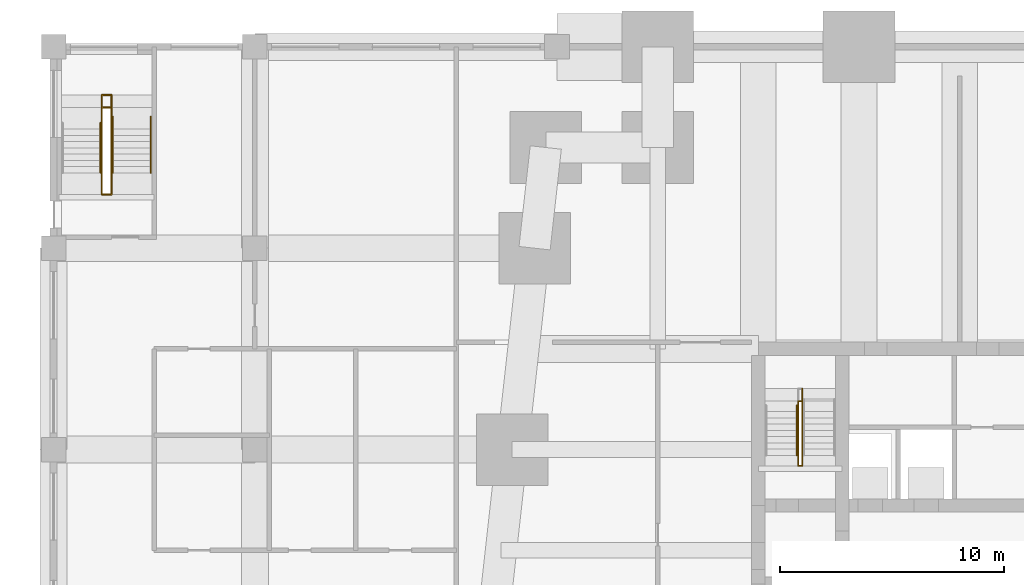
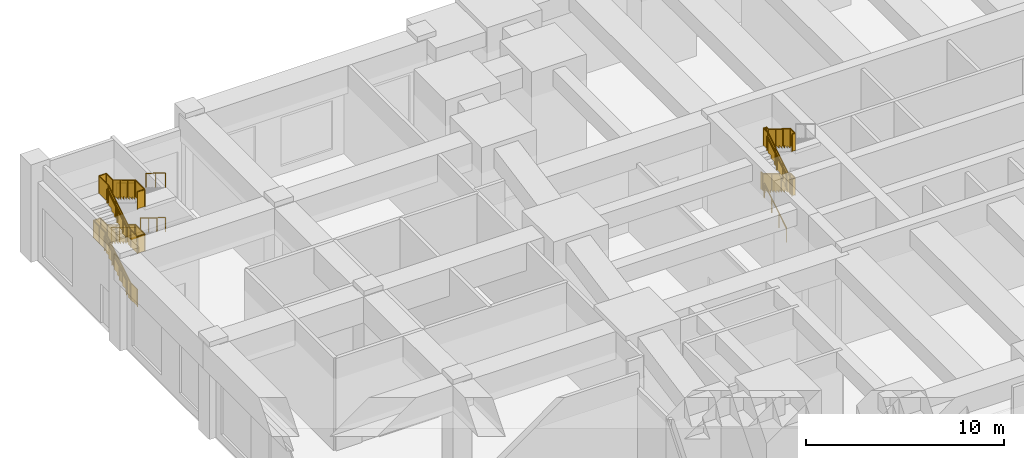
# One storey, part 10 of 13: 15 railings.
"""IFC4 building model written with IfcOpenShell, lengths in metres."""

from ifc_helpers import new_model, si_unit, direction, frame, origin, origin_2d, place, context, subcontext, project, spatial, polyline, circle, outline, extrude, material, type_object, element, save


model = new_model("IFC4")

# Units and contexts
model_context = context("Model", 3, precision=1e-05, world=origin(), true_north=direction((0.0, 1.0)))
body_context = subcontext(model_context, "Body", "Model", "MODEL_VIEW")
ifc_project = project(units=[si_unit("LENGTHUNIT", "METRE"), si_unit("AREAUNIT", "SQUARE_METRE"), si_unit("VOLUMEUNIT", "CUBIC_METRE"), si_unit("PLANEANGLEUNIT", "RADIAN"), si_unit("MASSUNIT", "GRAM", prefix="KILO")], contexts=[model_context])

# Site, building, storey
site_placement = place(None, origin())
site = spatial("IfcSite", under=ifc_project, at=site_placement, CompositionType="ELEMENT")
building_placement = place(site_placement, origin())
building = spatial("IfcBuilding", under=site, at=building_placement, Name="Kilele Tower Hotel", CompositionType="ELEMENT")
storey_placement = place(building_placement, origin())
storey = spatial("IfcBuildingStorey", under=building, at=storey_placement, Name="L00", CompositionType="ELEMENT", Elevation=0.0)

# Railings
ifc_material_1 = material(Name="Steel handrail", Category="steel")
railing_type_1 = type_object("IfcRailingType", Name="Handrail 900", PredefinedType="HANDRAIL", material=ifc_material_1)
railing_1_placement = place(storey_placement, frame((15.22509765625, 22.239990234375, 0.17138671875)))
element("IfcRailing", 1, at=railing_1_placement, inside=storey, type_object=railing_type_1, Name="Handrail ST1 flight 1", PredefinedType="HANDRAIL", context=body_context, shape_type="SweptSolid", body=[
    extrude(circle(Radius=0.02490234375, at=origin_2d()), frame((0.0, 0.0, 0.875), z_axis=(0.0, 0.852824270871, 0.522198011308), x_axis=(-1.0, 0.0, 0.0)), (0.0, 0.0, 1.0), 2.62646484375),
    extrude(circle(Radius=0.02001953125, at=origin_2d()), origin(), (0.0, 0.0, 1.0), 0.849853515625),
    extrude(circle(Radius=0.02001953125, at=origin_2d()), frame((0.0, 0.74658203125, 0.457275390625)), (0.0, 0.0, 1.0), 0.849853515625),
    extrude(circle(Radius=0.02001953125, at=origin_2d()), frame((0.0, 1.493408203125, 0.914306640625)), (0.0, 0.0, 1.0), 0.849853515625),
    extrude(circle(Radius=0.02001953125, at=origin_2d()), frame((0.0, 2.239990234375, 1.37158203125)), (0.0, 0.0, 1.0), 0.849853515625),
])
railing_2_placement = place(storey_placement, frame((15.22509765625, 22.239990234375, 3.428466796875)))
element("IfcRailing", 2, at=railing_2_placement, inside=storey, type_object=railing_type_1, Name="Handrail ST1 flight 3", PredefinedType="HANDRAIL", context=body_context, shape_type="SweptSolid", body=[
    extrude(circle(Radius=0.02490234375, at=origin_2d()), frame((0.0, 0.0, 0.875), z_axis=(0.0, 0.852808822406, 0.522223240029), x_axis=(-1.0, 0.0, 0.0)), (0.0, 0.0, 1.0), 2.29833984375),
    extrude(circle(Radius=0.02001953125, at=origin_2d()), origin(), (0.0, 0.0, 1.0), 0.849853515625),
    extrude(circle(Radius=0.02001953125, at=origin_2d()), frame((0.0, 0.97998046875, 0.60009765625)), (0.0, 0.0, 1.0), 0.849853515625),
    extrude(circle(Radius=0.02001953125, at=origin_2d()), frame((0.0, 1.9599609375, 1.2001953125)), (0.0, 0.0, 1.0), 0.849853515625),
])
railing_3_placement = place(storey_placement, frame((-15.89990234375, 34.864990234375, 0.17138671875)))
element("IfcRailing", 3, at=railing_3_placement, inside=storey, type_object=railing_type_1, Name="Handrail ST3 flight 1", PredefinedType="HANDRAIL", context=body_context, shape_type="SweptSolid", body=[
    extrude(circle(Radius=0.02490234375, at=origin_2d()), frame((0.0, 0.0, 0.875), z_axis=(0.0, 0.852824270871, 0.522198011308), x_axis=(-1.0, 0.0, 0.0)), (0.0, 0.0, 1.0), 2.62646484375),
    extrude(circle(Radius=0.02001953125, at=origin_2d()), origin(), (0.0, 0.0, 1.0), 0.849853515625),
    extrude(circle(Radius=0.02001953125, at=origin_2d()), frame((0.0, 0.74658203125, 0.457275390625)), (0.0, 0.0, 1.0), 0.849853515625),
    extrude(circle(Radius=0.02001953125, at=origin_2d()), frame((0.0, 1.493408203125, 0.914306640625)), (0.0, 0.0, 1.0), 0.849853515625),
    extrude(circle(Radius=0.02001953125, at=origin_2d()), frame((0.0, 2.239990234375, 1.37158203125)), (0.0, 0.0, 1.0), 0.849853515625),
])
for number, where, name in (
    (4, (-15.35009765625, 37.385009765625, 1.71435546875), "Handrail ST3 flight 2"),
    (5, (-13.64990234375, 37.385009765625, 1.71435546875), "Handrail ST3 flight 2"),
):
    element("IfcRailing", number, at=place(storey_placement, frame(where)), inside=storey, type_object=railing_type_1, Name=name, PredefinedType="HANDRAIL", context=body_context, shape_type="SweptSolid", body=[
        extrude(circle(Radius=0.02490234375, at=origin_2d()), frame((0.0, 0.0, 0.875), z_axis=(0.0, -0.852873080145, 0.522118290393), x_axis=(1.0, 0.0, 0.0)), (0.0, 0.0, 1.0), 2.954833984375),
        extrude(circle(Radius=0.02001953125, at=origin_2d()), origin(), (0.0, 0.0, 1.0), 0.849853515625),
        extrude(circle(Radius=0.02001953125, at=origin_2d()), frame((0.0, -0.840087890625, 0.51416015625)), (0.0, 0.0, 1.0), 0.849853515625),
        extrude(circle(Radius=0.02001953125, at=origin_2d()), frame((0.0, -1.679931640625, 1.028564453125)), (0.0, 0.0, 1.0), 0.849853515625),
        extrude(circle(Radius=0.02001953125, at=origin_2d()), frame((0.0, -2.52001953125, 1.542724609375)), (0.0, 0.0, 1.0), 0.849853515625),
    ])
railing_4_placement = place(storey_placement, frame((-15.89990234375, 34.864990234375, 3.428466796875)))
element("IfcRailing", 6, at=railing_4_placement, inside=storey, type_object=railing_type_1, Name="Handrail ST3 flight 3", PredefinedType="HANDRAIL", context=body_context, shape_type="SweptSolid", body=[
    extrude(circle(Radius=0.02490234375, at=origin_2d()), frame((0.0, 0.0, 0.875), z_axis=(0.0, 0.852808822406, 0.522223240029), x_axis=(-1.0, 0.0, 0.0)), (0.0, 0.0, 1.0), 2.29833984375),
    extrude(circle(Radius=0.02001953125, at=origin_2d()), origin(), (0.0, 0.0, 1.0), 0.849853515625),
    extrude(circle(Radius=0.02001953125, at=origin_2d()), frame((0.0, 0.97998046875, 0.60009765625)), (0.0, 0.0, 1.0), 0.849853515625),
    extrude(circle(Radius=0.02001953125, at=origin_2d()), frame((0.0, 1.9599609375, 1.2001953125)), (0.0, 0.0, 1.0), 0.849853515625),
])
for number, where, name in (
    (7, (-15.35009765625, 36.824951171875, 4.800048828125), "Handrail ST3 flight 4"),
    (8, (-13.64990234375, 36.824951171875, 4.800048828125), "Handrail ST3 flight 4"),
):
    element("IfcRailing", number, at=place(storey_placement, frame(where)), inside=storey, type_object=railing_type_1, Name=name, PredefinedType="HANDRAIL", context=body_context, shape_type="SweptSolid", body=[
        extrude(circle(Radius=0.02490234375, at=origin_2d()), frame((0.0, 0.0, 0.875), z_axis=(0.0, -0.852856131449, 0.522145974847), x_axis=(1.0, 0.0, 0.0)), (0.0, 0.0, 1.0), 2.298095703125),
        extrude(circle(Radius=0.02001953125, at=origin_2d()), origin(), (0.0, 0.0, 1.0), 0.849853515625),
        extrude(circle(Radius=0.02001953125, at=origin_2d()), frame((0.0, -0.97998046875, 0.60009765625)), (0.0, 0.0, 1.0), 0.849853515625),
        extrude(circle(Radius=0.02001953125, at=origin_2d()), frame((0.0, -1.9599609375, 1.199951171875)), (0.0, 0.0, 1.0), 0.849853515625),
    ])
ifc_material_2 = material(Name="Steel guard", Category="steel")
railing_type_2 = type_object("IfcRailingType", Name="Stair guard 1100", PredefinedType="GUARDRAIL", material=ifc_material_2)
railing_5_placement = place(storey_placement, frame((15.465087890625, 25.22509765625, 1.54296875)))
element("IfcRailing", 9, at=railing_5_placement, inside=storey, type_object=railing_type_2, Name="Stair well guard ST1 flight 2", PredefinedType="GUARDRAIL", context=body_context, shape_type="SweptSolid", body=[
    extrude(circle(Radius=0.02490234375, at=origin_2d()), frame((0.0, 0.0, 1.0751953125), z_axis=(0.0, -1.0, 0.0), x_axis=(1.0, 0.0, 0.0)), (0.0, 0.0, 1.0), 0.18505859375),
    extrude(circle(Radius=0.02490234375, at=origin_2d()), frame((0.0, -0.18505859375, 1.0751953125), z_axis=(0.0, -0.852879011914, 0.522108600807), x_axis=(1.0, 0.0, 0.0)), (0.0, 0.0, 1.0), 3.282958984375),
    extrude(circle(Radius=0.02490234375, at=origin_2d()), frame((0.0, -2.985107421875, 2.7890625), z_axis=(0.0, -1.0, 0.0), x_axis=(1.0, 0.0, 0.0)), (0.0, 0.0, 1.0), 0.465087890625),
    extrude(circle(Radius=0.02490234375, at=origin_2d()), frame((0.0, -3.4501953125, 2.7890625), z_axis=(-1.0, 0.0, 0.0), x_axis=(0.0, -1.0, 0.0)), (0.0, 0.0, 1.0), 0.18017578125),
    extrude(circle(Radius=0.02490234375, at=origin_2d()), origin(), (0.0, 0.0, 1.0), 1.050048828125),
    extrude(circle(Radius=0.02490234375, at=origin_2d()), frame((0.0, -0.18505859375, 0.0)), (0.0, 0.0, 1.0), 1.050048828125),
    extrude(circle(Radius=0.02490234375, at=origin_2d()), frame((0.0, -1.118408203125, 0.5712890625)), (0.0, 0.0, 1.0), 1.050048828125),
    extrude(circle(Radius=0.02490234375, at=origin_2d()), frame((0.0, -2.0517578125, 1.142822265625)), (0.0, 0.0, 1.0), 1.050048828125),
    extrude(circle(Radius=0.02490234375, at=origin_2d()), frame((0.0, -2.985107421875, 1.714111328125)), (0.0, 0.0, 1.0), 1.050048828125),
    extrude(circle(Radius=0.02490234375, at=origin_2d()), frame((0.0, -3.4501953125, 1.714111328125)), (0.0, 0.0, 1.0), 1.050048828125),
    extrude(circle(Radius=0.02490234375, at=origin_2d()), frame((-0.18017578125, -3.4501953125, 1.714111328125)), (0.0, 0.0, 1.0), 1.050048828125),
    extrude(outline(polyline([(0.0, 0.030029296875), (0.172607421875, 0.030029296875), (0.172607421875, 1.050048828125), (0.0, 1.050048828125), (0.0, 0.030029296875)])), frame((0.005859375, 0.0, 0.0), z_axis=(-1.0, 0.0, 0.0), x_axis=(0.0, -1.0, 0.0)), (0.0, 0.0, 1.0), 0.011962890625),
    extrude(outline(polyline([(0.012451171875, 0.030029296875), (0.25, 0.030029296875), (0.25, 0.201416015625), (0.530029296875, 0.201416015625), (0.530029296875, 0.372802734375), (0.81005859375, 0.372802734375), (0.81005859375, 0.544189453125), (1.090087890625, 0.544189453125), (1.090087890625, 0.715576171875), (1.3701171875, 0.715576171875), (1.3701171875, 0.88720703125), (1.64990234375, 0.88720703125), (1.64990234375, 1.05859375), (1.929931640625, 1.05859375), (1.929931640625, 1.22998046875), (2.2099609375, 1.22998046875), (2.2099609375, 1.4013671875), (2.489990234375, 1.4013671875), (2.489990234375, 1.57275390625), (2.77001953125, 1.57275390625), (2.77001953125, 1.744140625), (2.78759765625, 1.744140625), (2.78759765625, 2.752197265625), (0.012451171875, 1.053466796875), (0.012451171875, 0.030029296875)])), frame((0.005859375, -0.18505859375, 0.0), z_axis=(-1.0, 0.0, 0.0), x_axis=(0.0, -1.0, 0.0)), (0.0, 0.0, 1.0), 0.011962890625),
    extrude(outline(polyline([(0.012451171875, 0.030029296875), (0.45263671875, 0.030029296875), (0.45263671875, 1.050048828125), (0.012451171875, 1.050048828125), (0.012451171875, 0.030029296875)])), frame((0.005859375, -2.985107421875, 1.714111328125), z_axis=(-1.0, 0.0, 0.0), x_axis=(0.0, -1.0, 0.0)), (0.0, 0.0, 1.0), 0.011962890625),
    extrude(outline(polyline([(0.012451171875, 0.030029296875), (0.18017578125, 0.030029296875), (0.18017578125, 1.050048828125), (0.012451171875, 1.050048828125), (0.012451171875, 0.030029296875)])), frame((0.0, -3.4560546875, 1.714111328125), z_axis=(0.0, 1.0, 0.0), x_axis=(-1.0, 0.0, 0.0)), (0.0, 0.0, 1.0), 0.011962890625),
])
railing_6_placement = place(storey_placement, frame((15.284912109375, 21.77490234375, 3.257080078125)))
element("IfcRailing", 10, at=railing_6_placement, inside=storey, type_object=railing_type_2, Name="Stair well guard ST1 flight 3", PredefinedType="GUARDRAIL", context=body_context, shape_type="SweptSolid", body=[
    extrude(circle(Radius=0.02490234375, at=origin_2d()), frame((0.0, 0.0, 1.0751953125), z_axis=(0.0, 1.0, 0.0), x_axis=(-1.0, 0.0, 0.0)), (0.0, 0.0, 1.0), 0.18505859375),
    extrude(circle(Radius=0.02490234375, at=origin_2d()), frame((0.0, 0.18505859375, 1.0751953125), z_axis=(0.0, 0.852824270871, 0.522198011308), x_axis=(-1.0, 0.0, 0.0)), (0.0, 0.0, 1.0), 2.62646484375),
    extrude(circle(Radius=0.02490234375, at=origin_2d()), frame((0.0, 2.425048828125, 2.44677734375), z_axis=(0.0, 1.0, 0.0), x_axis=(-1.0, 0.0, 0.0)), (0.0, 0.0, 1.0), 0.465087890625),
    extrude(circle(Radius=0.02490234375, at=origin_2d()), frame((0.0, 2.89013671875, 2.44677734375), z_axis=(1.0, 0.0, 0.0), x_axis=(0.0, 1.0, 0.0)), (0.0, 0.0, 1.0), 0.18017578125),
    extrude(circle(Radius=0.02490234375, at=origin_2d()), origin(), (0.0, 0.0, 1.0), 1.050048828125),
    extrude(circle(Radius=0.02490234375, at=origin_2d()), frame((0.0, 0.18505859375, 0.0)), (0.0, 0.0, 1.0), 1.050048828125),
    extrude(circle(Radius=0.02490234375, at=origin_2d()), frame((0.0, 0.931640625, 0.457275390625)), (0.0, 0.0, 1.0), 1.050048828125),
    extrude(circle(Radius=0.02490234375, at=origin_2d()), frame((0.0, 1.678466796875, 0.914306640625)), (0.0, 0.0, 1.0), 1.050048828125),
    extrude(circle(Radius=0.02490234375, at=origin_2d()), frame((0.0, 2.425048828125, 1.37158203125)), (0.0, 0.0, 1.0), 1.050048828125),
    extrude(circle(Radius=0.02490234375, at=origin_2d()), frame((0.0, 2.89013671875, 1.37158203125)), (0.0, 0.0, 1.0), 1.050048828125),
    extrude(circle(Radius=0.02490234375, at=origin_2d()), frame((0.18017578125, 2.89013671875, 1.37158203125)), (0.0, 0.0, 1.0), 1.050048828125),
    extrude(outline(polyline([(0.0, 0.030029296875), (0.172607421875, 0.030029296875), (0.172607421875, 1.050048828125), (0.0, 1.050048828125), (0.0, 0.030029296875)])), frame((-0.005859375, 0.0, 0.0), z_axis=(1.0, 0.0, 0.0), x_axis=(0.0, 1.0, 0.0)), (0.0, 0.0, 1.0), 0.011962890625),
    extrude(outline(polyline([(0.012451171875, 0.030029296875), (0.25, 0.030029296875), (0.25, 0.201416015625), (0.530029296875, 0.201416015625), (0.530029296875, 0.373046875), (0.81005859375, 0.373046875), (0.81005859375, 0.54443359375), (1.08984375, 0.54443359375), (1.08984375, 0.7158203125), (1.369873046875, 0.7158203125), (1.369873046875, 0.88720703125), (1.64990234375, 0.88720703125), (1.64990234375, 1.05859375), (1.929931640625, 1.05859375), (1.929931640625, 1.230224609375), (2.2099609375, 1.230224609375), (2.2099609375, 1.401611328125), (2.2275390625, 1.401611328125), (2.2275390625, 2.40966796875), (0.012451171875, 1.053466796875), (0.012451171875, 0.030029296875)])), frame((-0.005859375, 0.18505859375, 0.0), z_axis=(1.0, 0.0, 0.0), x_axis=(0.0, 1.0, 0.0)), (0.0, 0.0, 1.0), 0.011962890625),
    extrude(outline(polyline([(0.012451171875, 0.030029296875), (0.45263671875, 0.030029296875), (0.45263671875, 1.050048828125), (0.012451171875, 1.050048828125), (0.012451171875, 0.030029296875)])), frame((-0.005859375, 2.425048828125, 1.37158203125), z_axis=(1.0, 0.0, 0.0), x_axis=(0.0, 1.0, 0.0)), (0.0, 0.0, 1.0), 0.011962890625),
    extrude(outline(polyline([(0.012451171875, 0.030029296875), (0.18017578125, 0.030029296875), (0.18017578125, 1.050048828125), (0.012451171875, 1.050048828125), (0.012451171875, 0.030029296875)])), frame((0.0, 2.89599609375, 1.37158203125), z_axis=(0.0, -1.0, 0.0), x_axis=(1.0, 0.0, 0.0)), (0.0, 0.0, 1.0), 0.011962890625),
])
railing_7_placement = place(storey_placement, frame((15.465087890625, 24.6650390625, 4.628662109375)))
element("IfcRailing", 11, at=railing_7_placement, inside=storey, type_object=railing_type_2, Name="Stair well guard ST1 flight 4", PredefinedType="GUARDRAIL", context=body_context, shape_type="SweptSolid", body=[
    extrude(circle(Radius=0.02490234375, at=origin_2d()), frame((0.0, 0.0, 1.0751953125), z_axis=(0.0, -1.0, 0.0), x_axis=(1.0, 0.0, 0.0)), (0.0, 0.0, 1.0), 0.18505859375),
    extrude(circle(Radius=0.02490234375, at=origin_2d()), frame((0.0, -0.18505859375, 1.0751953125), z_axis=(0.0, -0.852865665234, 0.522130402356), x_axis=(1.0, 0.0, 0.0)), (0.0, 0.0, 1.0), 2.62646484375),
    extrude(circle(Radius=0.02490234375, at=origin_2d()), frame((0.0, -2.425048828125, 2.4462890625), z_axis=(0.0, -1.0, 0.0), x_axis=(1.0, 0.0, 0.0)), (0.0, 0.0, 1.0), 0.465087890625),
    extrude(circle(Radius=0.02490234375, at=origin_2d()), frame((0.0, -2.89013671875, 2.4462890625), z_axis=(-1.0, 0.0, 0.0), x_axis=(0.0, -1.0, 0.0)), (0.0, 0.0, 1.0), 0.18017578125),
    extrude(circle(Radius=0.02490234375, at=origin_2d()), origin(), (0.0, 0.0, 1.0), 1.050048828125),
    extrude(circle(Radius=0.02490234375, at=origin_2d()), frame((0.0, -0.18505859375, 0.0)), (0.0, 0.0, 1.0), 1.050048828125),
    extrude(circle(Radius=0.02490234375, at=origin_2d()), frame((0.0, -0.931640625, 0.45703125)), (0.0, 0.0, 1.0), 1.050048828125),
    extrude(circle(Radius=0.02490234375, at=origin_2d()), frame((0.0, -1.678466796875, 0.914306640625)), (0.0, 0.0, 1.0), 1.050048828125),
    extrude(circle(Radius=0.02490234375, at=origin_2d()), frame((0.0, -2.425048828125, 1.371337890625)), (0.0, 0.0, 1.0), 1.050048828125),
    extrude(circle(Radius=0.02490234375, at=origin_2d()), frame((0.0, -2.89013671875, 1.371337890625)), (0.0, 0.0, 1.0), 1.050048828125),
    extrude(circle(Radius=0.02490234375, at=origin_2d()), frame((-0.18017578125, -2.89013671875, 1.371337890625)), (0.0, 0.0, 1.0), 1.050048828125),
    extrude(outline(polyline([(0.0, 0.030029296875), (0.172607421875, 0.030029296875), (0.172607421875, 1.050048828125), (0.0, 1.050048828125), (0.0, 0.030029296875)])), frame((0.005859375, 0.0, 0.0), z_axis=(-1.0, 0.0, 0.0), x_axis=(0.0, -1.0, 0.0)), (0.0, 0.0, 1.0), 0.011962890625),
    extrude(outline(polyline([(0.012451171875, 0.030029296875), (0.25, 0.030029296875), (0.25, 0.201416015625), (0.530029296875, 0.201416015625), (0.530029296875, 0.372802734375), (0.81005859375, 0.372802734375), (0.81005859375, 0.544189453125), (1.08984375, 0.544189453125), (1.08984375, 0.7158203125), (1.369873046875, 0.7158203125), (1.369873046875, 0.88720703125), (1.64990234375, 0.88720703125), (1.64990234375, 1.05859375), (1.929931640625, 1.05859375), (1.929931640625, 1.22998046875), (2.2099609375, 1.22998046875), (2.2099609375, 1.4013671875), (2.2275390625, 1.4013671875), (2.2275390625, 2.409423828125), (0.012451171875, 1.053466796875), (0.012451171875, 0.030029296875)])), frame((0.005859375, -0.18505859375, 0.0), z_axis=(-1.0, 0.0, 0.0), x_axis=(0.0, -1.0, 0.0)), (0.0, 0.0, 1.0), 0.011962890625),
    extrude(outline(polyline([(0.012451171875, 0.030029296875), (0.45263671875, 0.030029296875), (0.45263671875, 1.050048828125), (0.012451171875, 1.050048828125), (0.012451171875, 0.030029296875)])), frame((0.005859375, -2.425048828125, 1.371337890625), z_axis=(-1.0, 0.0, 0.0), x_axis=(0.0, -1.0, 0.0)), (0.0, 0.0, 1.0), 0.011962890625),
    extrude(outline(polyline([(0.012451171875, 0.030029296875), (0.18017578125, 0.030029296875), (0.18017578125, 1.050048828125), (0.012451171875, 1.050048828125), (0.012451171875, 0.030029296875)])), frame((0.0, -2.89599609375, 1.371337890625), z_axis=(0.0, 1.0, 0.0), x_axis=(-1.0, 0.0, 0.0)), (0.0, 0.0, 1.0), 0.011962890625),
])
railing_8_placement = place(storey_placement, frame((-15.840087890625, 33.89990234375, 0.0)))
element("IfcRailing", 12, at=railing_8_placement, inside=storey, type_object=railing_type_2, Name="Stair well guard ST3 flight 1", PredefinedType="GUARDRAIL", context=body_context, shape_type="SweptSolid", body=[
    extrude(circle(Radius=0.02490234375, at=origin_2d()), frame((0.0, 0.0, 1.0751953125), z_axis=(0.0, 1.0, 0.0), x_axis=(-1.0, 0.0, 0.0)), (0.0, 0.0, 1.0), 0.68505859375),
    extrude(circle(Radius=0.02490234375, at=origin_2d()), frame((0.0, 0.68505859375, 1.0751953125), z_axis=(0.0, 0.852836285881, 0.522178388565), x_axis=(-1.0, 0.0, 0.0)), (0.0, 0.0, 1.0), 2.954833984375),
    extrude(circle(Radius=0.02490234375, at=origin_2d()), frame((0.0, 3.205078125, 2.6181640625), z_axis=(0.0, 1.0, 0.0), x_axis=(-1.0, 0.0, 0.0)), (0.0, 0.0, 1.0), 1.2451171875),
    extrude(circle(Radius=0.02490234375, at=origin_2d()), frame((0.0, 4.4501953125, 2.6181640625), z_axis=(1.0, 0.0, 0.0), x_axis=(0.0, 1.0, 0.0)), (0.0, 0.0, 1.0), 0.43017578125),
    extrude(circle(Radius=0.02490234375, at=origin_2d()), origin(), (0.0, 0.0, 1.0), 1.050048828125),
    extrude(circle(Radius=0.02490234375, at=origin_2d()), frame((0.0, 0.68505859375, 0.0)), (0.0, 0.0, 1.0), 1.050048828125),
    extrude(circle(Radius=0.02490234375, at=origin_2d()), frame((0.0, 1.525146484375, 0.514404296875)), (0.0, 0.0, 1.0), 1.050048828125),
    extrude(circle(Radius=0.02490234375, at=origin_2d()), frame((0.0, 2.364990234375, 1.028564453125)), (0.0, 0.0, 1.0), 1.050048828125),
    extrude(circle(Radius=0.02490234375, at=origin_2d()), frame((0.0, 3.205078125, 1.54296875)), (0.0, 0.0, 1.0), 1.050048828125),
    extrude(circle(Radius=0.02490234375, at=origin_2d()), frame((0.0, 3.82763671875, 1.54296875)), (0.0, 0.0, 1.0), 1.050048828125),
    extrude(circle(Radius=0.02490234375, at=origin_2d()), frame((0.0, 4.4501953125, 1.54296875)), (0.0, 0.0, 1.0), 1.050048828125),
    extrude(circle(Radius=0.02490234375, at=origin_2d()), frame((0.43017578125, 4.4501953125, 1.54296875)), (0.0, 0.0, 1.0), 1.050048828125),
    extrude(outline(polyline([(0.0, 0.030029296875), (0.672607421875, 0.030029296875), (0.672607421875, 1.050048828125), (0.0, 1.050048828125), (0.0, 0.030029296875)])), frame((-0.005859375, 0.0, 0.0), z_axis=(1.0, 0.0, 0.0), x_axis=(0.0, 1.0, 0.0)), (0.0, 0.0, 1.0), 0.011962890625),
    extrude(outline(polyline([(0.012451171875, 0.030029296875), (0.25, 0.030029296875), (0.25, 0.201416015625), (0.530029296875, 0.201416015625), (0.530029296875, 0.372802734375), (0.81005859375, 0.372802734375), (0.81005859375, 0.54443359375), (1.090087890625, 0.54443359375), (1.090087890625, 0.7158203125), (1.369873046875, 0.7158203125), (1.369873046875, 0.88720703125), (1.64990234375, 0.88720703125), (1.64990234375, 1.05859375), (1.929931640625, 1.05859375), (1.929931640625, 1.230224609375), (2.2099609375, 1.230224609375), (2.2099609375, 1.401611328125), (2.489990234375, 1.401611328125), (2.489990234375, 1.572998046875), (2.507568359375, 1.572998046875), (2.507568359375, 2.5810546875), (0.012451171875, 1.053466796875), (0.012451171875, 0.030029296875)])), frame((-0.005859375, 0.68505859375, 0.0), z_axis=(1.0, 0.0, 0.0), x_axis=(0.0, 1.0, 0.0)), (0.0, 0.0, 1.0), 0.011962890625),
    extrude(outline(polyline([(0.012451171875, 0.030029296875), (1.232666015625, 0.030029296875), (1.232666015625, 1.050048828125), (0.012451171875, 1.050048828125), (0.012451171875, 0.030029296875)])), frame((-0.005859375, 3.205078125, 1.54296875), z_axis=(1.0, 0.0, 0.0), x_axis=(0.0, 1.0, 0.0)), (0.0, 0.0, 1.0), 0.011962890625),
    extrude(outline(polyline([(0.012451171875, 0.030029296875), (0.43017578125, 0.030029296875), (0.43017578125, 1.050048828125), (0.012451171875, 1.050048828125), (0.012451171875, 0.030029296875)])), frame((0.0, 4.4560546875, 1.54296875), z_axis=(0.0, -1.0, 0.0), x_axis=(1.0, 0.0, 0.0)), (0.0, 0.0, 1.0), 0.011962890625),
])
railing_9_placement = place(storey_placement, frame((-15.409912109375, 38.35009765625, 1.54296875)))
element("IfcRailing", 13, at=railing_9_placement, inside=storey, type_object=railing_type_2, Name="Stair well guard ST3 flight 2", PredefinedType="GUARDRAIL", context=body_context, shape_type="SweptSolid", body=[
    extrude(circle(Radius=0.02490234375, at=origin_2d()), frame((0.0, 0.0, 1.0751953125), z_axis=(0.0, -1.0, 0.0), x_axis=(1.0, 0.0, 0.0)), (0.0, 0.0, 1.0), 0.68505859375),
    extrude(circle(Radius=0.02490234375, at=origin_2d()), frame((0.0, -0.68505859375, 1.0751953125), z_axis=(0.0, -0.852879011914, 0.522108600807), x_axis=(1.0, 0.0, 0.0)), (0.0, 0.0, 1.0), 3.282958984375),
    extrude(circle(Radius=0.02490234375, at=origin_2d()), frame((0.0, -3.485107421875, 2.7890625), z_axis=(0.0, -1.0, 0.0), x_axis=(1.0, 0.0, 0.0)), (0.0, 0.0, 1.0), 0.965087890625),
    extrude(circle(Radius=0.02490234375, at=origin_2d()), frame((0.0, -4.4501953125, 2.7890625), z_axis=(-1.0, 0.0, 0.0), x_axis=(0.0, -1.0, 0.0)), (0.0, 0.0, 1.0), 0.43017578125),
    extrude(circle(Radius=0.02490234375, at=origin_2d()), origin(), (0.0, 0.0, 1.0), 1.050048828125),
    extrude(circle(Radius=0.02490234375, at=origin_2d()), frame((0.0, -0.68505859375, 0.0)), (0.0, 0.0, 1.0), 1.050048828125),
    extrude(circle(Radius=0.02490234375, at=origin_2d()), frame((0.0, -1.618408203125, 0.5712890625)), (0.0, 0.0, 1.0), 1.050048828125),
    extrude(circle(Radius=0.02490234375, at=origin_2d()), frame((0.0, -2.5517578125, 1.142822265625)), (0.0, 0.0, 1.0), 1.050048828125),
    extrude(circle(Radius=0.02490234375, at=origin_2d()), frame((0.0, -3.485107421875, 1.714111328125)), (0.0, 0.0, 1.0), 1.050048828125),
    extrude(circle(Radius=0.02490234375, at=origin_2d()), frame((0.0, -4.4501953125, 1.714111328125)), (0.0, 0.0, 1.0), 1.050048828125),
    extrude(circle(Radius=0.02490234375, at=origin_2d()), frame((-0.43017578125, -4.4501953125, 1.714111328125)), (0.0, 0.0, 1.0), 1.050048828125),
    extrude(outline(polyline([(0.0, 0.030029296875), (0.672607421875, 0.030029296875), (0.672607421875, 1.050048828125), (0.0, 1.050048828125), (0.0, 0.030029296875)])), frame((0.005859375, 0.0, 0.0), z_axis=(-1.0, 0.0, 0.0), x_axis=(0.0, -1.0, 0.0)), (0.0, 0.0, 1.0), 0.011962890625),
    extrude(outline(polyline([(0.012451171875, 0.030029296875), (0.25, 0.030029296875), (0.25, 0.201416015625), (0.530029296875, 0.201416015625), (0.530029296875, 0.372802734375), (0.81005859375, 0.372802734375), (0.81005859375, 0.544189453125), (1.090087890625, 0.544189453125), (1.090087890625, 0.715576171875), (1.3701171875, 0.715576171875), (1.3701171875, 0.88720703125), (1.64990234375, 0.88720703125), (1.64990234375, 1.05859375), (1.929931640625, 1.05859375), (1.929931640625, 1.22998046875), (2.2099609375, 1.22998046875), (2.2099609375, 1.4013671875), (2.489990234375, 1.4013671875), (2.489990234375, 1.57275390625), (2.77001953125, 1.57275390625), (2.77001953125, 1.744140625), (2.78759765625, 1.744140625), (2.78759765625, 2.752197265625), (0.012451171875, 1.053466796875), (0.012451171875, 0.030029296875)])), frame((0.005859375, -0.68505859375, 0.0), z_axis=(-1.0, 0.0, 0.0), x_axis=(0.0, -1.0, 0.0)), (0.0, 0.0, 1.0), 0.011962890625),
    extrude(outline(polyline([(0.012451171875, 0.030029296875), (0.95263671875, 0.030029296875), (0.95263671875, 1.050048828125), (0.012451171875, 1.050048828125), (0.012451171875, 0.030029296875)])), frame((0.005859375, -3.485107421875, 1.714111328125), z_axis=(-1.0, 0.0, 0.0), x_axis=(0.0, -1.0, 0.0)), (0.0, 0.0, 1.0), 0.011962890625),
    extrude(outline(polyline([(0.012451171875, 0.030029296875), (0.43017578125, 0.030029296875), (0.43017578125, 1.050048828125), (0.012451171875, 1.050048828125), (0.012451171875, 0.030029296875)])), frame((0.0, -4.4560546875, 1.714111328125), z_axis=(0.0, 1.0, 0.0), x_axis=(-1.0, 0.0, 0.0)), (0.0, 0.0, 1.0), 0.011962890625),
])
railing_10_placement = place(storey_placement, frame((-15.840087890625, 33.89990234375, 3.257080078125)))
element("IfcRailing", 14, at=railing_10_placement, inside=storey, type_object=railing_type_2, Name="Stair well guard ST3 flight 3", PredefinedType="GUARDRAIL", context=body_context, shape_type="SweptSolid", body=[
    extrude(circle(Radius=0.02490234375, at=origin_2d()), frame((0.0, 0.0, 1.0751953125), z_axis=(0.0, 1.0, 0.0), x_axis=(-1.0, 0.0, 0.0)), (0.0, 0.0, 1.0), 0.68505859375),
    extrude(circle(Radius=0.02490234375, at=origin_2d()), frame((0.0, 0.68505859375, 1.0751953125), z_axis=(0.0, 0.852824270871, 0.522198011308), x_axis=(-1.0, 0.0, 0.0)), (0.0, 0.0, 1.0), 2.62646484375),
    extrude(circle(Radius=0.02490234375, at=origin_2d()), frame((0.0, 2.925048828125, 2.44677734375), z_axis=(0.0, 1.0, 0.0), x_axis=(-1.0, 0.0, 0.0)), (0.0, 0.0, 1.0), 0.965087890625),
    extrude(circle(Radius=0.02490234375, at=origin_2d()), frame((0.0, 3.89013671875, 2.44677734375), z_axis=(1.0, 0.0, 0.0), x_axis=(0.0, 1.0, 0.0)), (0.0, 0.0, 1.0), 0.43017578125),
    extrude(circle(Radius=0.02490234375, at=origin_2d()), origin(), (0.0, 0.0, 1.0), 1.050048828125),
    extrude(circle(Radius=0.02490234375, at=origin_2d()), frame((0.0, 0.68505859375, 0.0)), (0.0, 0.0, 1.0), 1.050048828125),
    extrude(circle(Radius=0.02490234375, at=origin_2d()), frame((0.0, 1.431640625, 0.457275390625)), (0.0, 0.0, 1.0), 1.050048828125),
    extrude(circle(Radius=0.02490234375, at=origin_2d()), frame((0.0, 2.178466796875, 0.914306640625)), (0.0, 0.0, 1.0), 1.050048828125),
    extrude(circle(Radius=0.02490234375, at=origin_2d()), frame((0.0, 2.925048828125, 1.37158203125)), (0.0, 0.0, 1.0), 1.050048828125),
    extrude(circle(Radius=0.02490234375, at=origin_2d()), frame((0.0, 3.89013671875, 1.37158203125)), (0.0, 0.0, 1.0), 1.050048828125),
    extrude(circle(Radius=0.02490234375, at=origin_2d()), frame((0.43017578125, 3.89013671875, 1.37158203125)), (0.0, 0.0, 1.0), 1.050048828125),
    extrude(outline(polyline([(0.0, 0.030029296875), (0.672607421875, 0.030029296875), (0.672607421875, 1.050048828125), (0.0, 1.050048828125), (0.0, 0.030029296875)])), frame((-0.005859375, 0.0, 0.0), z_axis=(1.0, 0.0, 0.0), x_axis=(0.0, 1.0, 0.0)), (0.0, 0.0, 1.0), 0.011962890625),
    extrude(outline(polyline([(0.012451171875, 0.030029296875), (0.25, 0.030029296875), (0.25, 0.201416015625), (0.530029296875, 0.201416015625), (0.530029296875, 0.373046875), (0.81005859375, 0.373046875), (0.81005859375, 0.54443359375), (1.08984375, 0.54443359375), (1.08984375, 0.7158203125), (1.369873046875, 0.7158203125), (1.369873046875, 0.88720703125), (1.64990234375, 0.88720703125), (1.64990234375, 1.05859375), (1.929931640625, 1.05859375), (1.929931640625, 1.230224609375), (2.2099609375, 1.230224609375), (2.2099609375, 1.401611328125), (2.2275390625, 1.401611328125), (2.2275390625, 2.40966796875), (0.012451171875, 1.053466796875), (0.012451171875, 0.030029296875)])), frame((-0.005859375, 0.68505859375, 0.0), z_axis=(1.0, 0.0, 0.0), x_axis=(0.0, 1.0, 0.0)), (0.0, 0.0, 1.0), 0.011962890625),
    extrude(outline(polyline([(0.012451171875, 0.030029296875), (0.95263671875, 0.030029296875), (0.95263671875, 1.050048828125), (0.012451171875, 1.050048828125), (0.012451171875, 0.030029296875)])), frame((-0.005859375, 2.925048828125, 1.37158203125), z_axis=(1.0, 0.0, 0.0), x_axis=(0.0, 1.0, 0.0)), (0.0, 0.0, 1.0), 0.011962890625),
    extrude(outline(polyline([(0.012451171875, 0.030029296875), (0.43017578125, 0.030029296875), (0.43017578125, 1.050048828125), (0.012451171875, 1.050048828125), (0.012451171875, 0.030029296875)])), frame((0.0, 3.89599609375, 1.37158203125), z_axis=(0.0, -1.0, 0.0), x_axis=(1.0, 0.0, 0.0)), (0.0, 0.0, 1.0), 0.011962890625),
])
railing_11_placement = place(storey_placement, frame((-15.409912109375, 37.7900390625, 4.628662109375)))
element("IfcRailing", 15, at=railing_11_placement, inside=storey, type_object=railing_type_2, Name="Stair well guard ST3 flight 4", PredefinedType="GUARDRAIL", context=body_context, shape_type="SweptSolid", body=[
    extrude(circle(Radius=0.02490234375, at=origin_2d()), frame((0.0, 0.0, 1.0751953125), z_axis=(0.0, -1.0, 0.0), x_axis=(1.0, 0.0, 0.0)), (0.0, 0.0, 1.0), 0.68505859375),
    extrude(circle(Radius=0.02490234375, at=origin_2d()), frame((0.0, -0.68505859375, 1.0751953125), z_axis=(0.0, -0.852865665234, 0.522130402356), x_axis=(1.0, 0.0, 0.0)), (0.0, 0.0, 1.0), 2.62646484375),
    extrude(circle(Radius=0.02490234375, at=origin_2d()), frame((0.0, -2.925048828125, 2.4462890625), z_axis=(0.0, -1.0, 0.0), x_axis=(1.0, 0.0, 0.0)), (0.0, 0.0, 1.0), 0.965087890625),
    extrude(circle(Radius=0.02490234375, at=origin_2d()), frame((0.0, -3.89013671875, 2.4462890625), z_axis=(-1.0, 0.0, 0.0), x_axis=(0.0, -1.0, 0.0)), (0.0, 0.0, 1.0), 0.43017578125),
    extrude(circle(Radius=0.02490234375, at=origin_2d()), origin(), (0.0, 0.0, 1.0), 1.050048828125),
    extrude(circle(Radius=0.02490234375, at=origin_2d()), frame((0.0, -0.68505859375, 0.0)), (0.0, 0.0, 1.0), 1.050048828125),
    extrude(circle(Radius=0.02490234375, at=origin_2d()), frame((0.0, -1.431640625, 0.45703125)), (0.0, 0.0, 1.0), 1.050048828125),
    extrude(circle(Radius=0.02490234375, at=origin_2d()), frame((0.0, -2.178466796875, 0.914306640625)), (0.0, 0.0, 1.0), 1.050048828125),
    extrude(circle(Radius=0.02490234375, at=origin_2d()), frame((0.0, -2.925048828125, 1.371337890625)), (0.0, 0.0, 1.0), 1.050048828125),
    extrude(circle(Radius=0.02490234375, at=origin_2d()), frame((0.0, -3.89013671875, 1.371337890625)), (0.0, 0.0, 1.0), 1.050048828125),
    extrude(circle(Radius=0.02490234375, at=origin_2d()), frame((-0.43017578125, -3.89013671875, 1.371337890625)), (0.0, 0.0, 1.0), 1.050048828125),
    extrude(outline(polyline([(0.0, 0.030029296875), (0.672607421875, 0.030029296875), (0.672607421875, 1.050048828125), (0.0, 1.050048828125), (0.0, 0.030029296875)])), frame((0.005859375, 0.0, 0.0), z_axis=(-1.0, 0.0, 0.0), x_axis=(0.0, -1.0, 0.0)), (0.0, 0.0, 1.0), 0.011962890625),
    extrude(outline(polyline([(0.012451171875, 0.030029296875), (0.25, 0.030029296875), (0.25, 0.201416015625), (0.530029296875, 0.201416015625), (0.530029296875, 0.372802734375), (0.81005859375, 0.372802734375), (0.81005859375, 0.544189453125), (1.08984375, 0.544189453125), (1.08984375, 0.7158203125), (1.369873046875, 0.7158203125), (1.369873046875, 0.88720703125), (1.64990234375, 0.88720703125), (1.64990234375, 1.05859375), (1.929931640625, 1.05859375), (1.929931640625, 1.22998046875), (2.2099609375, 1.22998046875), (2.2099609375, 1.4013671875), (2.2275390625, 1.4013671875), (2.2275390625, 2.409423828125), (0.012451171875, 1.053466796875), (0.012451171875, 0.030029296875)])), frame((0.005859375, -0.68505859375, 0.0), z_axis=(-1.0, 0.0, 0.0), x_axis=(0.0, -1.0, 0.0)), (0.0, 0.0, 1.0), 0.011962890625),
    extrude(outline(polyline([(0.012451171875, 0.030029296875), (0.95263671875, 0.030029296875), (0.95263671875, 1.050048828125), (0.012451171875, 1.050048828125), (0.012451171875, 0.030029296875)])), frame((0.005859375, -2.925048828125, 1.371337890625), z_axis=(-1.0, 0.0, 0.0), x_axis=(0.0, -1.0, 0.0)), (0.0, 0.0, 1.0), 0.011962890625),
    extrude(outline(polyline([(0.012451171875, 0.030029296875), (0.43017578125, 0.030029296875), (0.43017578125, 1.050048828125), (0.012451171875, 1.050048828125), (0.012451171875, 0.030029296875)])), frame((0.0, -3.89599609375, 1.371337890625), z_axis=(0.0, 1.0, 0.0), x_axis=(-1.0, 0.0, 0.0)), (0.0, 0.0, 1.0), 0.011962890625),
])

save(model, "model.ifc")
